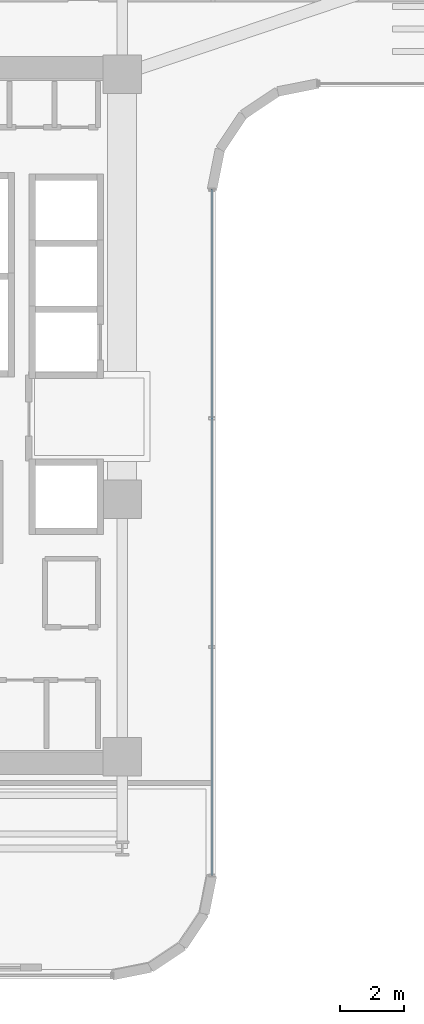
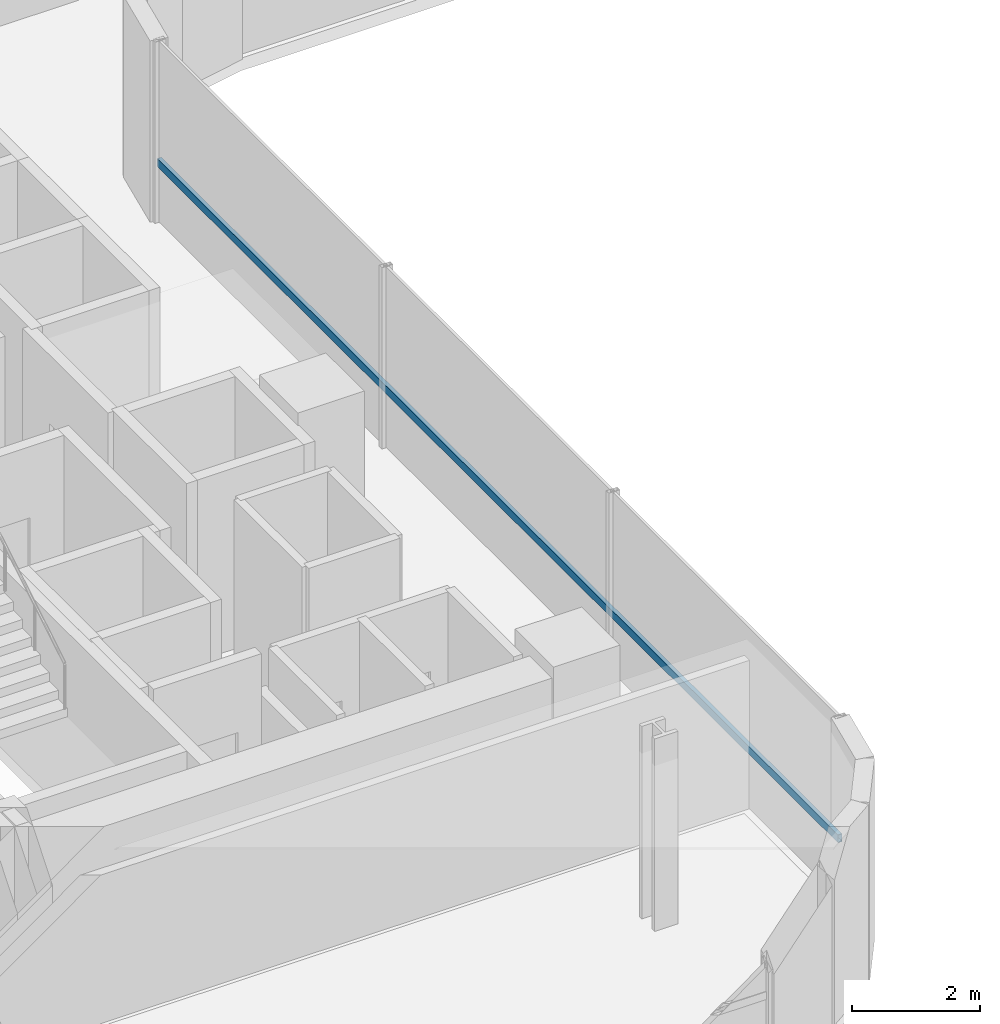
# One storey, part 6 of 36: 1 member, 1 element without a shape of its own.
"""IFC4 building model written with IfcOpenShell, lengths in metres."""

from ifc_helpers import new_model, si_unit, direction, frame, origin, origin_2d, place, context, subcontext, project, spatial, hollow_rectangle, extrude, source, transform, mapped, material, material_profile, profile_set, type_object, element, aggregate, save


model = new_model("IFC4")

# Units and contexts
model_context = context("Model", 3, precision=1e-05, world=origin(), true_north=direction((0.0, 1.0)))
body_context = subcontext(model_context, "Body", "Model", "MODEL_VIEW")
ifc_project = project(units=[si_unit("LENGTHUNIT", "METRE"), si_unit("AREAUNIT", "SQUARE_METRE"), si_unit("VOLUMEUNIT", "CUBIC_METRE"), si_unit("PLANEANGLEUNIT", "RADIAN"), si_unit("MASSUNIT", "GRAM", prefix="KILO")], contexts=[model_context])

# Site, building, storey
site_placement = place(None, origin())
site = spatial("IfcSite", under=ifc_project, at=site_placement, CompositionType="ELEMENT")
building_placement = place(site_placement, origin())
building = spatial("IfcBuilding", under=site, at=building_placement, Name="Valdorenza Pilgrim Sanctuary Tower", CompositionType="ELEMENT")
storey_placement = place(building_placement, frame((0.0, 0.0, 109.39990234375)))
storey = spatial("IfcBuildingStorey", under=building, at=storey_placement, Name="L27", CompositionType="ELEMENT", Elevation=109.39990234375)

# Curtain wall, member
ifc_material_1 = material(Name="Curtain-wall IGU glazing", Category="glass")
curtain_wall_type = type_object("IfcCurtainWallType", Name="CW-SYS-02", PredefinedType="NOTDEFINED", material=ifc_material_1)
curtain_wall_placement = place(storey_placement, origin())
curtain_wall = element("IfcCurtainWall", 1, at=curtain_wall_placement, inside=storey, type_object=curtain_wall_type, Name="L27 Curtain Wall CW-L27-1-41", PredefinedType="NOTDEFINED")
ifc_material_2 = material(Name="Anodised aluminium AW-6060", Category="aluminium")
ifc_material_profile = material_profile(ifc_material_2, hollow_rectangle(XDim=0.074951171875, YDim=0.14990234375, WallThickness=0.00390625, at=origin_2d()), Name="ALU-T 150x75x4")
ifc_profile_set = profile_set([ifc_material_profile], Name="Anodised aluminium AW-6060")
member_type = type_object("IfcMemberType", Name="CW-TRN-02", PredefinedType="USERDEFINED", material=ifc_profile_set)
shared_shape = source(origin(), body_context, "Body", "SweptSolid", [
    extrude(hollow_rectangle(XDim=0.074951171875, YDim=0.14990234375, WallThickness=0.00390625, at=origin_2d()), origin(), (0.0, 0.0, 1.0), 21.300048828125),
])
member_placement = place(storey_placement, frame((-9.610107421875, 7.0107421875, 1.1201171875), z_axis=(0.0, -1.0, 0.0), x_axis=(1.0, 0.0, 0.0)))
member = element("IfcMember", 2, at=member_placement, type_object=member_type, Name="CW-L27-1-41 Transom 1", ObjectType="TRANSOM", PredefinedType="USERDEFINED", context=body_context, shape_type="MappedRepresentation", body=[
    mapped(shared_shape, transform((0.0, 0.0, 0.0), x_axis=(1.0, 0.0, 0.0), y_axis=(0.0, 1.0, 0.0), z_axis=(0.0, 0.0, 1.0), scale=1.0)),
])
aggregate(curtain_wall, [member])

save(model, "model.ifc")
